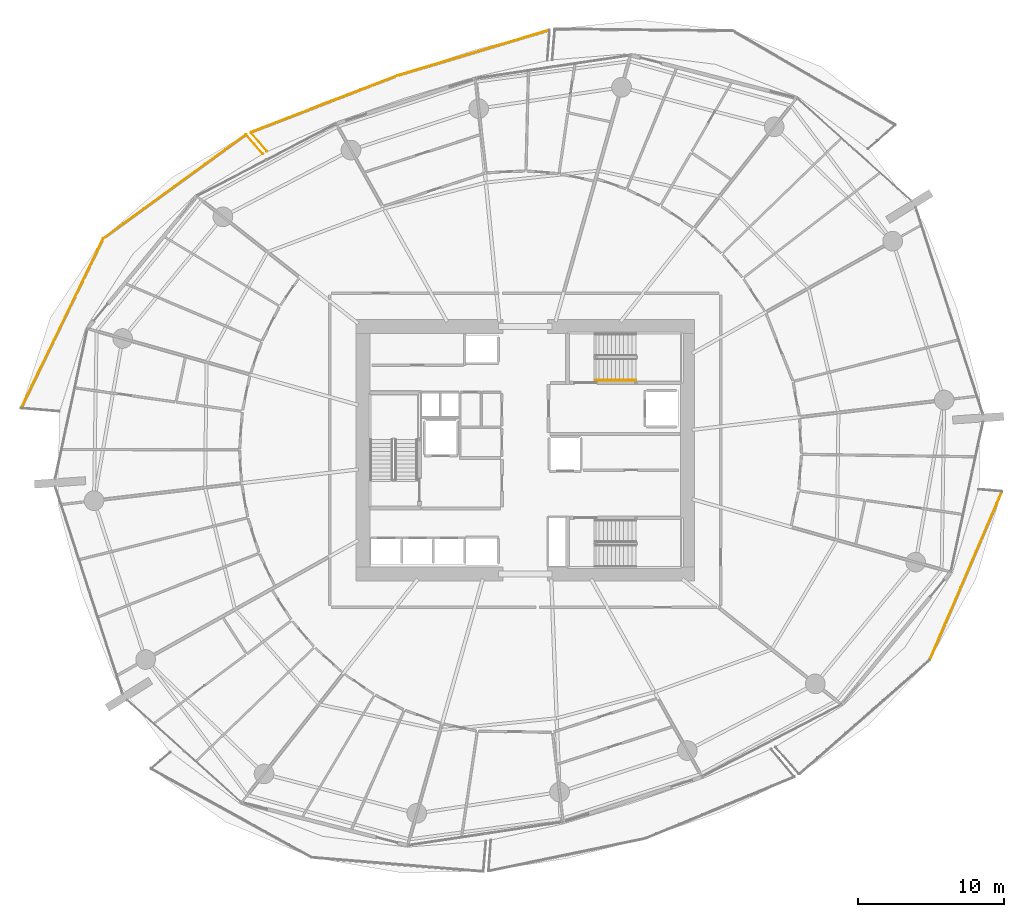
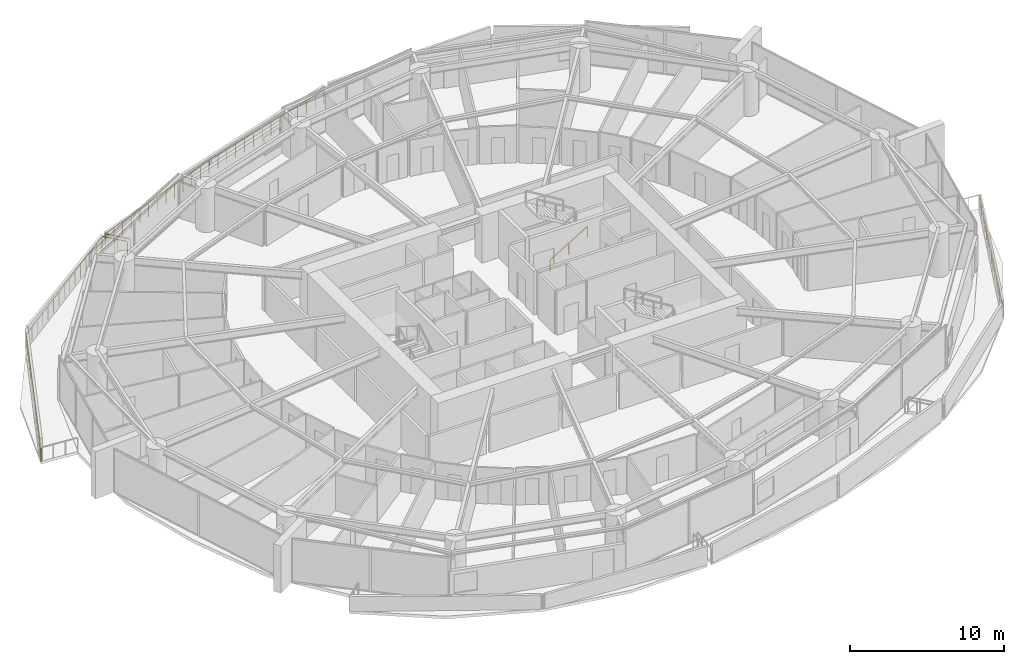
# One storey, part 29 of 31: 8 railings.
"""IFC4 building model written with IfcOpenShell, lengths in metres."""

from ifc_helpers import new_model, si_unit, direction, frame, origin, origin_2d, place, context, subcontext, project, spatial, rectangle, extrude, material, type_object, element, save


model = new_model("IFC4")

# Units and contexts
model_context = context("Model", 3, precision=1e-05, world=origin(), true_north=direction((0.0, 1.0)))
body_context = subcontext(model_context, "Body", "Model", "MODEL_VIEW")
ifc_project = project(units=[si_unit("LENGTHUNIT", "METRE"), si_unit("AREAUNIT", "SQUARE_METRE"), si_unit("VOLUMEUNIT", "CUBIC_METRE"), si_unit("PLANEANGLEUNIT", "RADIAN"), si_unit("MASSUNIT", "GRAM", prefix="KILO")], contexts=[model_context])

# Site, building, storey
site_placement = place(None, origin())
site = spatial("IfcSite", under=ifc_project, at=site_placement, CompositionType="ELEMENT")
building_placement = place(site_placement, origin())
building = spatial("IfcBuilding", under=site, at=building_placement, Name="Kazma Halo Residences", CompositionType="ELEMENT")
storey_placement = place(building_placement, frame((0.0, 0.0, 41.39990234375)))
storey = spatial("IfcBuildingStorey", under=building, at=storey_placement, Name="L09", CompositionType="ELEMENT", Elevation=41.39990234375)

# Railings
ifc_material_1 = material(Name="Aluminium AW-6063 T6 Brushed Cap Rail", Category="aluminium")
railing_type_1 = type_object("IfcRailingType", Name="RLG-BAL-CAP-1120", PredefinedType="BALUSTRADE", material=ifc_material_1)
railing_1_placement = place(storey_placement, frame((50.08740234375, 70.7705078125, 0.0)))
element("IfcRailing", 1, at=railing_1_placement, inside=storey, type_object=railing_type_1, Name="L09 NNW wave balcony guard 2", PredefinedType="BALUSTRADE", context=body_context, shape_type="SweptSolid", body=[
    extrude(rectangle(XDim=0.050048828125, YDim=0.050048828125, at=origin_2d()), frame((-0.040771484375, -0.01220703125, 1.09521484375), z_axis=(-0.957967000028, -0.286878418249, 0.0), x_axis=(0.286878418249, -0.957967000028, 0.0)), (0.0, 0.0, 1.0), 10.79345703125),
    extrude(rectangle(XDim=0.0400390625, YDim=0.0400390625, at=origin_2d()), origin(), (0.0, 0.0, 1.0), 1.05810546875),
    extrude(rectangle(XDim=0.0400390625, YDim=0.0400390625, at=origin_2d()), frame((-0.8017578125, -0.239990234375, 0.0)), (0.0, 0.0, 1.0), 1.05810546875),
    extrude(rectangle(XDim=0.0400390625, YDim=0.0400390625, at=origin_2d()), frame((-1.603271484375, -0.480224609375, 0.0)), (0.0, 0.0, 1.0), 1.05810546875),
    extrude(rectangle(XDim=0.0400390625, YDim=0.0400390625, at=origin_2d()), frame((-2.405029296875, -0.72021484375, 0.0)), (0.0, 0.0, 1.0), 1.05810546875),
    extrude(rectangle(XDim=0.0400390625, YDim=0.0400390625, at=origin_2d()), frame((-3.20654296875, -0.960205078125, 0.0)), (0.0, 0.0, 1.0), 1.05810546875),
    extrude(rectangle(XDim=0.0400390625, YDim=0.0400390625, at=origin_2d()), frame((-4.00830078125, -1.200439453125, 0.0)), (0.0, 0.0, 1.0), 1.05810546875),
    extrude(rectangle(XDim=0.0400390625, YDim=0.0400390625, at=origin_2d()), frame((-4.809814453125, -1.4404296875, 0.0)), (0.0, 0.0, 1.0), 1.05810546875),
    extrude(rectangle(XDim=0.0400390625, YDim=0.0400390625, at=origin_2d()), frame((-5.611572265625, -1.680419921875, 0.0)), (0.0, 0.0, 1.0), 1.05810546875),
    extrude(rectangle(XDim=0.0400390625, YDim=0.0400390625, at=origin_2d()), frame((-6.4130859375, -1.92041015625, 0.0)), (0.0, 0.0, 1.0), 1.05810546875),
    extrude(rectangle(XDim=0.0400390625, YDim=0.0400390625, at=origin_2d()), frame((-7.21484375, -2.16064453125, 0.0)), (0.0, 0.0, 1.0), 1.05810546875),
    extrude(rectangle(XDim=0.0400390625, YDim=0.0400390625, at=origin_2d()), frame((-8.016357421875, -2.400634765625, 0.0)), (0.0, 0.0, 1.0), 1.05810546875),
    extrude(rectangle(XDim=0.0400390625, YDim=0.0400390625, at=origin_2d()), frame((-8.818115234375, -2.640625, 0.0)), (0.0, 0.0, 1.0), 1.05810546875),
    extrude(rectangle(XDim=0.0400390625, YDim=0.0400390625, at=origin_2d()), frame((-9.61962890625, -2.880859375, 0.0)), (0.0, 0.0, 1.0), 1.05810546875),
    extrude(rectangle(XDim=0.0400390625, YDim=0.0400390625, at=origin_2d()), frame((-10.42138671875, -3.120849609375, 0.0)), (0.0, 0.0, 1.0), 1.05810546875),
])
railing_2_placement = place(storey_placement, frame((39.666015625, 67.649658203125, 0.0)))
element("IfcRailing", 2, at=railing_2_placement, inside=storey, type_object=railing_type_1, Name="L09 NNW wave balcony guard 3", PredefinedType="BALUSTRADE", context=body_context, shape_type="SweptSolid", body=[
    extrude(rectangle(XDim=0.050048828125, YDim=0.050048828125, at=origin_2d()), frame((-0.039794921875, -0.015380859375, 1.09521484375), z_axis=(-0.932666427368, -0.360739982897, 0.0), x_axis=(0.360739982897, -0.932666427368, 0.0)), (0.0, 0.0, 1.0), 10.669677734375),
    extrude(rectangle(XDim=0.0400390625, YDim=0.0400390625, at=origin_2d()), origin(), (0.0, 0.0, 1.0), 1.05810546875),
    extrude(rectangle(XDim=0.0400390625, YDim=0.0400390625, at=origin_2d()), frame((-0.8359375, -0.3232421875, 0.0)), (0.0, 0.0, 1.0), 1.05810546875),
    extrude(rectangle(XDim=0.0400390625, YDim=0.0400390625, at=origin_2d()), frame((-1.671875, -0.646484375, 0.0)), (0.0, 0.0, 1.0), 1.05810546875),
    extrude(rectangle(XDim=0.0400390625, YDim=0.0400390625, at=origin_2d()), frame((-2.507568359375, -0.969970703125, 0.0)), (0.0, 0.0, 1.0), 1.05810546875),
    extrude(rectangle(XDim=0.0400390625, YDim=0.0400390625, at=origin_2d()), frame((-3.343505859375, -1.293212890625, 0.0)), (0.0, 0.0, 1.0), 1.05810546875),
    extrude(rectangle(XDim=0.0400390625, YDim=0.0400390625, at=origin_2d()), frame((-4.179443359375, -1.616455078125, 0.0)), (0.0, 0.0, 1.0), 1.05810546875),
    extrude(rectangle(XDim=0.0400390625, YDim=0.0400390625, at=origin_2d()), frame((-5.01513671875, -1.93994140625, 0.0)), (0.0, 0.0, 1.0), 1.05810546875),
    extrude(rectangle(XDim=0.0400390625, YDim=0.0400390625, at=origin_2d()), frame((-5.85107421875, -2.26318359375, 0.0)), (0.0, 0.0, 1.0), 1.05810546875),
    extrude(rectangle(XDim=0.0400390625, YDim=0.0400390625, at=origin_2d()), frame((-6.68701171875, -2.58642578125, 0.0)), (0.0, 0.0, 1.0), 1.05810546875),
    extrude(rectangle(XDim=0.0400390625, YDim=0.0400390625, at=origin_2d()), frame((-7.52294921875, -2.90966796875, 0.0)), (0.0, 0.0, 1.0), 1.05810546875),
    extrude(rectangle(XDim=0.0400390625, YDim=0.0400390625, at=origin_2d()), frame((-8.35888671875, -3.23291015625, 0.0)), (0.0, 0.0, 1.0), 1.05810546875),
    extrude(rectangle(XDim=0.0400390625, YDim=0.0400390625, at=origin_2d()), frame((-9.194580078125, -3.556396484375, 0.0)), (0.0, 0.0, 1.0), 1.05810546875),
    extrude(rectangle(XDim=0.0400390625, YDim=0.0400390625, at=origin_2d()), frame((-10.030517578125, -3.879638671875, 0.0)), (0.0, 0.0, 1.0), 1.05810546875),
])
railing_3_placement = place(storey_placement, frame((29.635498046875, 63.77001953125, 0.0)))
element("IfcRailing", 3, at=railing_3_placement, inside=storey, type_object=railing_type_1, Name="L09 NNW wave balcony guard 4", PredefinedType="BALUSTRADE", context=body_context, shape_type="SweptSolid", body=[
    extrude(rectangle(XDim=0.050048828125, YDim=0.050048828125, at=origin_2d()), frame((0.02734375, -0.032470703125, 1.09521484375), z_axis=(0.64477825688, -0.764369674604, 0.0), x_axis=(0.764369674604, 0.64477825688, 0.0)), (0.0, 0.0, 1.0), 1.64599609375),
    extrude(rectangle(XDim=0.0400390625, YDim=0.0400390625, at=origin_2d()), origin(), (0.0, 0.0, 1.0), 1.05810546875),
    extrude(rectangle(XDim=0.0400390625, YDim=0.0400390625, at=origin_2d()), frame((0.55810546875, -0.66162109375, 0.0)), (0.0, 0.0, 1.0), 1.05810546875),
    extrude(rectangle(XDim=0.0400390625, YDim=0.0400390625, at=origin_2d()), frame((1.1162109375, -1.3232421875, 0.0)), (0.0, 0.0, 1.0), 1.05810546875),
])
railing_4_placement = place(storey_placement, frame((30.453857421875, 62.29150390625, 0.0)))
element("IfcRailing", 4, at=railing_4_placement, inside=storey, type_object=railing_type_1, Name="L09 NW wave balcony guard 1", PredefinedType="BALUSTRADE", context=body_context, shape_type="SweptSolid", body=[
    extrude(rectangle(XDim=0.050048828125, YDim=0.050048828125, at=origin_2d()), frame((-0.02783203125, 0.0322265625, 1.09521484375), z_axis=(-0.654048383375, 0.756452716437, 0.0), x_axis=(-0.756452716437, -0.654048383375, 0.0)), (0.0, 0.0, 1.0), 1.664794921875),
    extrude(rectangle(XDim=0.0400390625, YDim=0.0400390625, at=origin_2d()), origin(), (0.0, 0.0, 1.0), 1.05810546875),
    extrude(rectangle(XDim=0.0400390625, YDim=0.0400390625, at=origin_2d()), frame((-0.572265625, 0.661865234375, 0.0)), (0.0, 0.0, 1.0), 1.05810546875),
    extrude(rectangle(XDim=0.0400390625, YDim=0.0400390625, at=origin_2d()), frame((-1.14453125, 1.32373046875, 0.0)), (0.0, 0.0, 1.0), 1.05810546875),
])
railing_5_placement = place(storey_placement, frame((29.309326171875, 63.615234375, 0.0)))
element("IfcRailing", 5, at=railing_5_placement, inside=storey, type_object=railing_type_1, Name="L09 NW wave balcony guard 2", PredefinedType="BALUSTRADE", context=body_context, shape_type="SweptSolid", body=[
    extrude(rectangle(XDim=0.050048828125, YDim=0.050048828125, at=origin_2d()), frame((-0.034423828125, -0.02490234375, 1.09521484375), z_axis=(-0.808699402837, -0.588222131385, 0.0), x_axis=(0.588222131385, -0.808699402837, 0.0)), (0.0, 0.0, 1.0), 12.003662109375),
    extrude(rectangle(XDim=0.0400390625, YDim=0.0400390625, at=origin_2d()), origin(), (0.0, 0.0, 1.0), 1.05810546875),
    extrude(rectangle(XDim=0.0400390625, YDim=0.0400390625, at=origin_2d()), frame((-0.6982421875, -0.5078125, 0.0)), (0.0, 0.0, 1.0), 1.05810546875),
    extrude(rectangle(XDim=0.0400390625, YDim=0.0400390625, at=origin_2d()), frame((-1.396484375, -1.015869140625, 0.0)), (0.0, 0.0, 1.0), 1.05810546875),
    extrude(rectangle(XDim=0.0400390625, YDim=0.0400390625, at=origin_2d()), frame((-2.094970703125, -1.523681640625, 0.0)), (0.0, 0.0, 1.0), 1.05810546875),
    extrude(rectangle(XDim=0.0400390625, YDim=0.0400390625, at=origin_2d()), frame((-2.793212890625, -2.03173828125, 0.0)), (0.0, 0.0, 1.0), 1.05810546875),
    extrude(rectangle(XDim=0.0400390625, YDim=0.0400390625, at=origin_2d()), frame((-3.491455078125, -2.53955078125, 0.0)), (0.0, 0.0, 1.0), 1.05810546875),
    extrude(rectangle(XDim=0.0400390625, YDim=0.0400390625, at=origin_2d()), frame((-4.189697265625, -3.047607421875, 0.0)), (0.0, 0.0, 1.0), 1.05810546875),
    extrude(rectangle(XDim=0.0400390625, YDim=0.0400390625, at=origin_2d()), frame((-4.88818359375, -3.555419921875, 0.0)), (0.0, 0.0, 1.0), 1.05810546875),
    extrude(rectangle(XDim=0.0400390625, YDim=0.0400390625, at=origin_2d()), frame((-5.58642578125, -4.063232421875, 0.0)), (0.0, 0.0, 1.0), 1.05810546875),
    extrude(rectangle(XDim=0.0400390625, YDim=0.0400390625, at=origin_2d()), frame((-6.28466796875, -4.5712890625, 0.0)), (0.0, 0.0, 1.0), 1.05810546875),
    extrude(rectangle(XDim=0.0400390625, YDim=0.0400390625, at=origin_2d()), frame((-6.98291015625, -5.0791015625, 0.0)), (0.0, 0.0, 1.0), 1.05810546875),
    extrude(rectangle(XDim=0.0400390625, YDim=0.0400390625, at=origin_2d()), frame((-7.68115234375, -5.587158203125, 0.0)), (0.0, 0.0, 1.0), 1.05810546875),
    extrude(rectangle(XDim=0.0400390625, YDim=0.0400390625, at=origin_2d()), frame((-8.379638671875, -6.094970703125, 0.0)), (0.0, 0.0, 1.0), 1.05810546875),
    extrude(rectangle(XDim=0.0400390625, YDim=0.0400390625, at=origin_2d()), frame((-9.077880859375, -6.60302734375, 0.0)), (0.0, 0.0, 1.0), 1.05810546875),
    extrude(rectangle(XDim=0.0400390625, YDim=0.0400390625, at=origin_2d()), frame((-9.776123046875, -7.11083984375, 0.0)), (0.0, 0.0, 1.0), 1.05810546875),
])
railing_6_placement = place(storey_placement, frame((19.533203125, 56.50439453125, 0.0)))
element("IfcRailing", 6, at=railing_6_placement, inside=storey, type_object=railing_type_1, Name="L09 NW wave balcony guard 3", PredefinedType="BALUSTRADE", context=body_context, shape_type="SweptSolid", body=[
    extrude(rectangle(XDim=0.050048828125, YDim=0.050048828125, at=origin_2d()), frame((-0.0185546875, -0.038330078125, 1.09521484375), z_axis=(-0.435394695787, -0.900239667467, 0.0), x_axis=(0.900239667467, -0.435394695787, 0.0)), (0.0, 0.0, 1.0), 12.81396484375),
    extrude(rectangle(XDim=0.0400390625, YDim=0.0400390625, at=origin_2d()), origin(), (0.0, 0.0, 1.0), 1.05810546875),
    extrude(rectangle(XDim=0.0400390625, YDim=0.0400390625, at=origin_2d()), frame((-0.37451171875, -0.774169921875, 0.0)), (0.0, 0.0, 1.0), 1.05810546875),
    extrude(rectangle(XDim=0.0400390625, YDim=0.0400390625, at=origin_2d()), frame((-0.748779296875, -1.54833984375, 0.0)), (0.0, 0.0, 1.0), 1.05810546875),
    extrude(rectangle(XDim=0.0400390625, YDim=0.0400390625, at=origin_2d()), frame((-1.123291015625, -2.322509765625, 0.0)), (0.0, 0.0, 1.0), 1.05810546875),
    extrude(rectangle(XDim=0.0400390625, YDim=0.0400390625, at=origin_2d()), frame((-1.49755859375, -3.0966796875, 0.0)), (0.0, 0.0, 1.0), 1.05810546875),
    extrude(rectangle(XDim=0.0400390625, YDim=0.0400390625, at=origin_2d()), frame((-1.8720703125, -3.870849609375, 0.0)), (0.0, 0.0, 1.0), 1.05810546875),
    extrude(rectangle(XDim=0.0400390625, YDim=0.0400390625, at=origin_2d()), frame((-2.24658203125, -4.64501953125, 0.0)), (0.0, 0.0, 1.0), 1.05810546875),
    extrude(rectangle(XDim=0.0400390625, YDim=0.0400390625, at=origin_2d()), frame((-2.620849609375, -5.419189453125, 0.0)), (0.0, 0.0, 1.0), 1.05810546875),
    extrude(rectangle(XDim=0.0400390625, YDim=0.0400390625, at=origin_2d()), frame((-2.995361328125, -6.193115234375, 0.0)), (0.0, 0.0, 1.0), 1.05810546875),
    extrude(rectangle(XDim=0.0400390625, YDim=0.0400390625, at=origin_2d()), frame((-3.36962890625, -6.96728515625, 0.0)), (0.0, 0.0, 1.0), 1.05810546875),
    extrude(rectangle(XDim=0.0400390625, YDim=0.0400390625, at=origin_2d()), frame((-3.744140625, -7.741455078125, 0.0)), (0.0, 0.0, 1.0), 1.05810546875),
    extrude(rectangle(XDim=0.0400390625, YDim=0.0400390625, at=origin_2d()), frame((-4.11865234375, -8.515625, 0.0)), (0.0, 0.0, 1.0), 1.05810546875),
    extrude(rectangle(XDim=0.0400390625, YDim=0.0400390625, at=origin_2d()), frame((-4.492919921875, -9.289794921875, 0.0)), (0.0, 0.0, 1.0), 1.05810546875),
    extrude(rectangle(XDim=0.0400390625, YDim=0.0400390625, at=origin_2d()), frame((-4.867431640625, -10.06396484375, 0.0)), (0.0, 0.0, 1.0), 1.05810546875),
    extrude(rectangle(XDim=0.0400390625, YDim=0.0400390625, at=origin_2d()), frame((-5.24169921875, -10.838134765625, 0.0)), (0.0, 0.0, 1.0), 1.05810546875),
    extrude(rectangle(XDim=0.0400390625, YDim=0.0400390625, at=origin_2d()), frame((-5.6162109375, -11.6123046875, 0.0)), (0.0, 0.0, 1.0), 1.05810546875),
])
railing_7_placement = place(storey_placement, frame((76.1123046875, 27.676025390625, 0.0)))
element("IfcRailing", 7, at=railing_7_placement, inside=storey, type_object=railing_type_1, Name="L09 SE wave balcony guard 3", PredefinedType="BALUSTRADE", context=body_context, shape_type="SweptSolid", body=[
    extrude(rectangle(XDim=0.050048828125, YDim=0.050048828125, at=origin_2d()), frame((0.016845703125, 0.0390625, 1.09521484375), z_axis=(0.393752359053, 0.919216557586, 0.0), x_axis=(-0.919216557586, 0.393752359053, 0.0)), (0.0, 0.0, 1.0), 12.447021484375),
    extrude(rectangle(XDim=0.0400390625, YDim=0.0400390625, at=origin_2d()), origin(), (0.0, 0.0, 1.0), 1.05810546875),
    extrude(rectangle(XDim=0.0400390625, YDim=0.0400390625, at=origin_2d()), frame((0.3525390625, 0.82275390625, 0.0)), (0.0, 0.0, 1.0), 1.05810546875),
    extrude(rectangle(XDim=0.0400390625, YDim=0.0400390625, at=origin_2d()), frame((0.704833984375, 1.645751953125, 0.0)), (0.0, 0.0, 1.0), 1.05810546875),
    extrude(rectangle(XDim=0.0400390625, YDim=0.0400390625, at=origin_2d()), frame((1.057373046875, 2.468505859375, 0.0)), (0.0, 0.0, 1.0), 1.05810546875),
    extrude(rectangle(XDim=0.0400390625, YDim=0.0400390625, at=origin_2d()), frame((1.409912109375, 3.291259765625, 0.0)), (0.0, 0.0, 1.0), 1.05810546875),
    extrude(rectangle(XDim=0.0400390625, YDim=0.0400390625, at=origin_2d()), frame((1.762451171875, 4.1142578125, 0.0)), (0.0, 0.0, 1.0), 1.05810546875),
    extrude(rectangle(XDim=0.0400390625, YDim=0.0400390625, at=origin_2d()), frame((2.11474609375, 4.93701171875, 0.0)), (0.0, 0.0, 1.0), 1.05810546875),
    extrude(rectangle(XDim=0.0400390625, YDim=0.0400390625, at=origin_2d()), frame((2.46728515625, 5.759765625, 0.0)), (0.0, 0.0, 1.0), 1.05810546875),
    extrude(rectangle(XDim=0.0400390625, YDim=0.0400390625, at=origin_2d()), frame((2.81982421875, 6.582763671875, 0.0)), (0.0, 0.0, 1.0), 1.05810546875),
    extrude(rectangle(XDim=0.0400390625, YDim=0.0400390625, at=origin_2d()), frame((3.172119140625, 7.405517578125, 0.0)), (0.0, 0.0, 1.0), 1.05810546875),
    extrude(rectangle(XDim=0.0400390625, YDim=0.0400390625, at=origin_2d()), frame((3.524658203125, 8.228515625, 0.0)), (0.0, 0.0, 1.0), 1.05810546875),
    extrude(rectangle(XDim=0.0400390625, YDim=0.0400390625, at=origin_2d()), frame((3.877197265625, 9.05126953125, 0.0)), (0.0, 0.0, 1.0), 1.05810546875),
    extrude(rectangle(XDim=0.0400390625, YDim=0.0400390625, at=origin_2d()), frame((4.229736328125, 9.8740234375, 0.0)), (0.0, 0.0, 1.0), 1.05810546875),
    extrude(rectangle(XDim=0.0400390625, YDim=0.0400390625, at=origin_2d()), frame((4.58203125, 10.697021484375, 0.0)), (0.0, 0.0, 1.0), 1.05810546875),
    extrude(rectangle(XDim=0.0400390625, YDim=0.0400390625, at=origin_2d()), frame((4.9345703125, 11.519775390625, 0.0)), (0.0, 0.0, 1.0), 1.05810546875),
])
ifc_material_2 = material(Name="Brushed Stainless Steel", Category="steel")
railing_type_2 = type_object("IfcRailingType", Name="RLG-STAIR-HND-900", PredefinedType="HANDRAIL", material=ifc_material_2)
railing_8_placement = place(storey_placement, frame((53.199951171875, 46.800048828125, 0.170654296875)))
element("IfcRailing", 8, at=railing_8_placement, inside=storey, type_object=railing_type_2, Name="L09 ST-02 stair handrail 1", PredefinedType="HANDRAIL", context=body_context, shape_type="SweptSolid", body=[
    extrude(rectangle(XDim=0.050048828125, YDim=0.050048828125, at=origin_2d()), frame((0.036376953125, 0.0, 0.89697265625), z_axis=(0.854202870247, 0.0, 0.519939858505), x_axis=(0.0, 1.0, 0.0)), (0.0, 0.0, 1.0), 3.19287109375),
    extrude(rectangle(XDim=0.0400390625, YDim=0.0400390625, at=origin_2d()), origin(), (0.0, 0.0, 1.0), 0.837890625),
    extrude(rectangle(XDim=0.0400390625, YDim=0.0400390625, at=origin_2d()), frame((1.39990234375, 0.0, 0.85205078125)), (0.0, 0.0, 1.0), 0.837890625),
    extrude(rectangle(XDim=0.0400390625, YDim=0.0400390625, at=origin_2d()), frame((2.800048828125, 0.0, 1.704345703125)), (0.0, 0.0, 1.0), 0.837890625),
])

save(model, "model.ifc")
